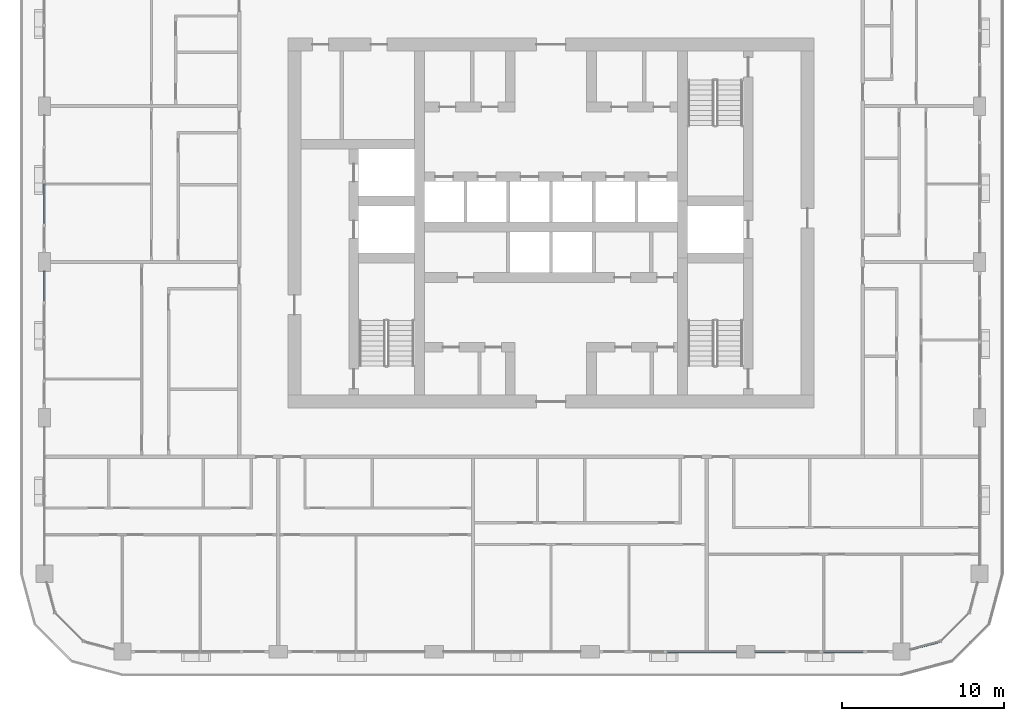
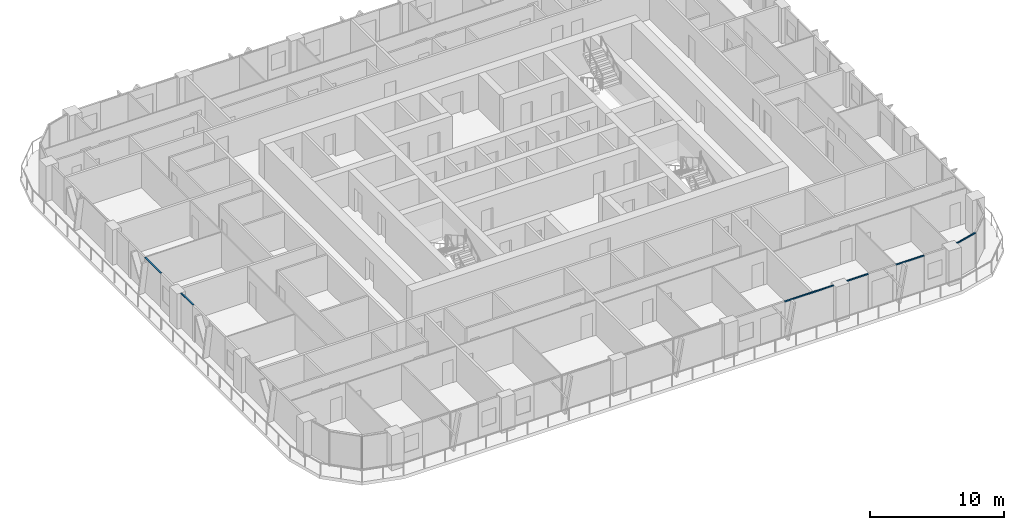
# One storey, part 3 of 22: 6 members, 5 elements without a shape of their own.
"""IFC4 building model written with IfcOpenShell, lengths in metres."""

from ifc_helpers import new_model, si_unit, direction, frame, origin, origin_2d, place, context, subcontext, project, spatial, rectangle, extrude, material, layer, layer_set, material_profile, profile_set, type_object, element, aggregate, save


model = new_model("IFC4")

# Units and contexts
model_context = context("Model", 3, precision=1e-05, world=origin(), true_north=direction((0.0, 1.0)))
body_context = subcontext(model_context, "Body", "Model", "MODEL_VIEW")
ifc_project = project(units=[si_unit("LENGTHUNIT", "METRE"), si_unit("AREAUNIT", "SQUARE_METRE"), si_unit("VOLUMEUNIT", "CUBIC_METRE"), si_unit("PLANEANGLEUNIT", "RADIAN"), si_unit("MASSUNIT", "GRAM", prefix="KILO")], contexts=[model_context])

# Site, building, storey
site_placement = place(None, origin())
site = spatial("IfcSite", under=ifc_project, at=site_placement, CompositionType="ELEMENT")
building_placement = place(site_placement, origin())
building = spatial("IfcBuilding", under=site, at=building_placement, Name="Madar Terraces", CompositionType="ELEMENT")
storey_placement = place(building_placement, frame((0.0, 0.0, 149.0)))
storey = spatial("IfcBuildingStorey", under=building, at=storey_placement, Name="L38", CompositionType="ELEMENT", Elevation=149.0)

# Curtain wall, member
ifc_material_1 = material(Name="Glass, ceramic frit dark grey, with black aluminium frame", Category="aluminium")
ifc_layer = layer(ifc_material_1, 0.199951171875)
ifc_layer_set = layer_set([ifc_layer], Name="Facade curtain wall, fritted glass")
curtain_wall_type = type_object("IfcCurtainWallType", Name="Facade curtain wall, fritted glass", PredefinedType="NOTDEFINED", material=ifc_layer_set)
curtain_wall_1_placement = place(storey_placement, origin())
curtain_wall_1 = element("IfcCurtainWall", 1, at=curtain_wall_1_placement, inside=storey, type_object=curtain_wall_type, Name="Outer skin curtain wall south bay 4", PredefinedType="NOTDEFINED")
ifc_material_2 = material(Name="Aluminium, black anodised", Category="aluminium")
ifc_material_profile = material_profile(ifc_material_2, rectangle(XDim=0.1201171875, YDim=0.06005859375, at=origin_2d()), Name="Facade transom 60x120")
ifc_profile_set = profile_set([ifc_material_profile], Name="Aluminium, black anodised")
member_type = type_object("IfcMemberType", Name="Facade transom 60x120", PredefinedType="USERDEFINED", material=ifc_profile_set)
member_1_placement = place(storey_placement, frame((38.39990234375, 0.0, 3.169921875), z_axis=(1.0, 0.0, 0.0), x_axis=(0.0, 1.0, 0.0)))
member_1 = element("IfcMember", 2, at=member_1_placement, type_object=member_type, Name="Transom 1", ObjectType="TRANSOM", PredefinedType="USERDEFINED", context=body_context, shape_type="SweptSolid", body=[
    extrude(rectangle(XDim=0.1201171875, YDim=0.06005859375, at=origin_2d()), origin(), (0.0, 0.0, 1.0), 4.22509765625),
])
aggregate(curtain_wall_1, [member_1])

# Curtain wall, members
curtain_wall_2_placement = place(storey_placement, origin())
curtain_wall_2 = element("IfcCurtainWall", 3, at=curtain_wall_2_placement, inside=storey, type_object=curtain_wall_type, Name="Outer skin curtain wall south bay 5", PredefinedType="NOTDEFINED")
member_2_placement = place(storey_placement, frame((43.77490234375, 0.0, 3.169921875), z_axis=(1.0, 0.0, 0.0), x_axis=(0.0, 1.0, 0.0)))
member_2 = element("IfcMember", 4, at=member_2_placement, type_object=member_type, Name="Transom 1", ObjectType="TRANSOM", PredefinedType="USERDEFINED", context=body_context, shape_type="SweptSolid", body=[
    extrude(rectangle(XDim=0.1201171875, YDim=0.06005859375, at=origin_2d()), origin(), (0.0, 0.0, 1.0), 1.8251953125),
])
member_3_placement = place(storey_placement, frame((48.0, 0.0, 3.169921875), z_axis=(1.0, 0.0, 0.0), x_axis=(0.0, 1.0, 0.0)))
member_3 = element("IfcMember", 5, at=member_3_placement, type_object=member_type, Name="Transom 2", ObjectType="TRANSOM", PredefinedType="USERDEFINED", context=body_context, shape_type="SweptSolid", body=[
    extrude(rectangle(XDim=0.1201171875, YDim=0.06005859375, at=origin_2d()), origin(), (0.0, 0.0, 1.0), 2.39990234375),
])
aggregate(curtain_wall_2, [member_2, member_3])

# Curtain wall, member
curtain_wall_3_placement = place(storey_placement, origin())
curtain_wall_3 = element("IfcCurtainWall", 6, at=curtain_wall_3_placement, inside=storey, type_object=curtain_wall_type, Name="Outer skin curtain wall west bay 2", PredefinedType="NOTDEFINED")
member_4_placement = place(storey_placement, frame((0.0, 28.800048828125, 3.169921875), z_axis=(0.0, -1.0, 0.0), x_axis=(1.0, 0.0, 0.0)))
member_4 = element("IfcMember", 7, at=member_4_placement, type_object=member_type, Name="Transom 2", ObjectType="TRANSOM", PredefinedType="USERDEFINED", context=body_context, shape_type="SweptSolid", body=[
    extrude(rectangle(XDim=0.1201171875, YDim=0.06005859375, at=origin_2d()), origin(), (0.0, 0.0, 1.0), 2.400146484375),
])
aggregate(curtain_wall_3, [member_4])

curtain_wall_4_placement = place(storey_placement, origin())
curtain_wall_4 = element("IfcCurtainWall", 8, at=curtain_wall_4_placement, inside=storey, type_object=curtain_wall_type, Name="Outer skin curtain wall west bay 3", PredefinedType="NOTDEFINED")
member_5_placement = place(storey_placement, frame((0.0, 23.425048828125, 3.169921875), z_axis=(0.0, -1.0, 0.0), x_axis=(1.0, 0.0, 0.0)))
member_5 = element("IfcMember", 9, at=member_5_placement, type_object=member_type, Name="Transom 1", ObjectType="TRANSOM", PredefinedType="USERDEFINED", context=body_context, shape_type="SweptSolid", body=[
    extrude(rectangle(XDim=0.1201171875, YDim=0.06005859375, at=origin_2d()), origin(), (0.0, 0.0, 1.0), 1.824951171875),
])
aggregate(curtain_wall_4, [member_5])

curtain_wall_5_placement = place(storey_placement, origin())
curtain_wall_5 = element("IfcCurtainWall", 10, at=curtain_wall_5_placement, inside=storey, type_object=curtain_wall_type, Name="Outer skin curtain wall south-east corner", PredefinedType="NOTDEFINED")
member_6_placement = place(storey_placement, frame((53.324951171875, 0.140625, 3.169921875), z_axis=(0.965933227928, 0.25879142023, 0.0), x_axis=(-0.25879142023, 0.965933227928, 0.0)))
member_6 = element("IfcMember", 11, at=member_6_placement, type_object=member_type, Name="Transom 1", ObjectType="TRANSOM", PredefinedType="USERDEFINED", context=body_context, shape_type="SweptSolid", body=[
    extrude(rectangle(XDim=0.1201171875, YDim=0.06005859375, at=origin_2d()), origin(), (0.0, 0.0, 1.0), 1.911376953125),
])
aggregate(curtain_wall_5, [member_6])

save(model, "model.ifc")
